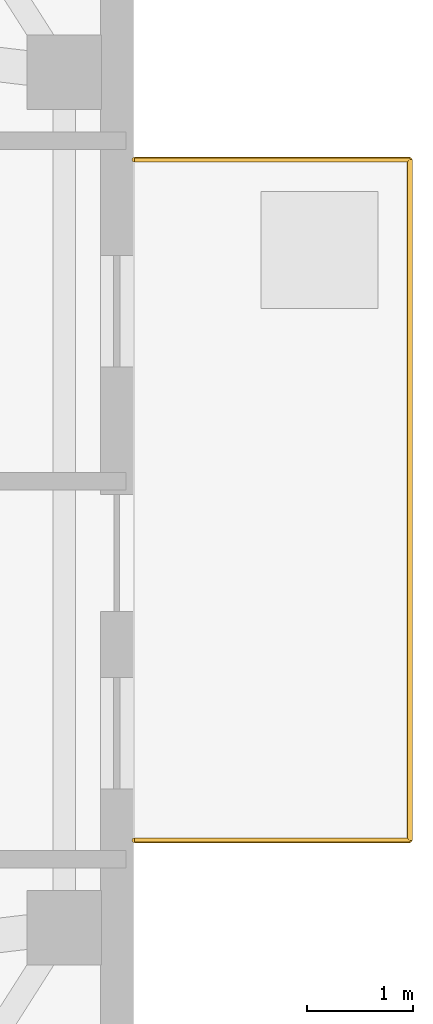
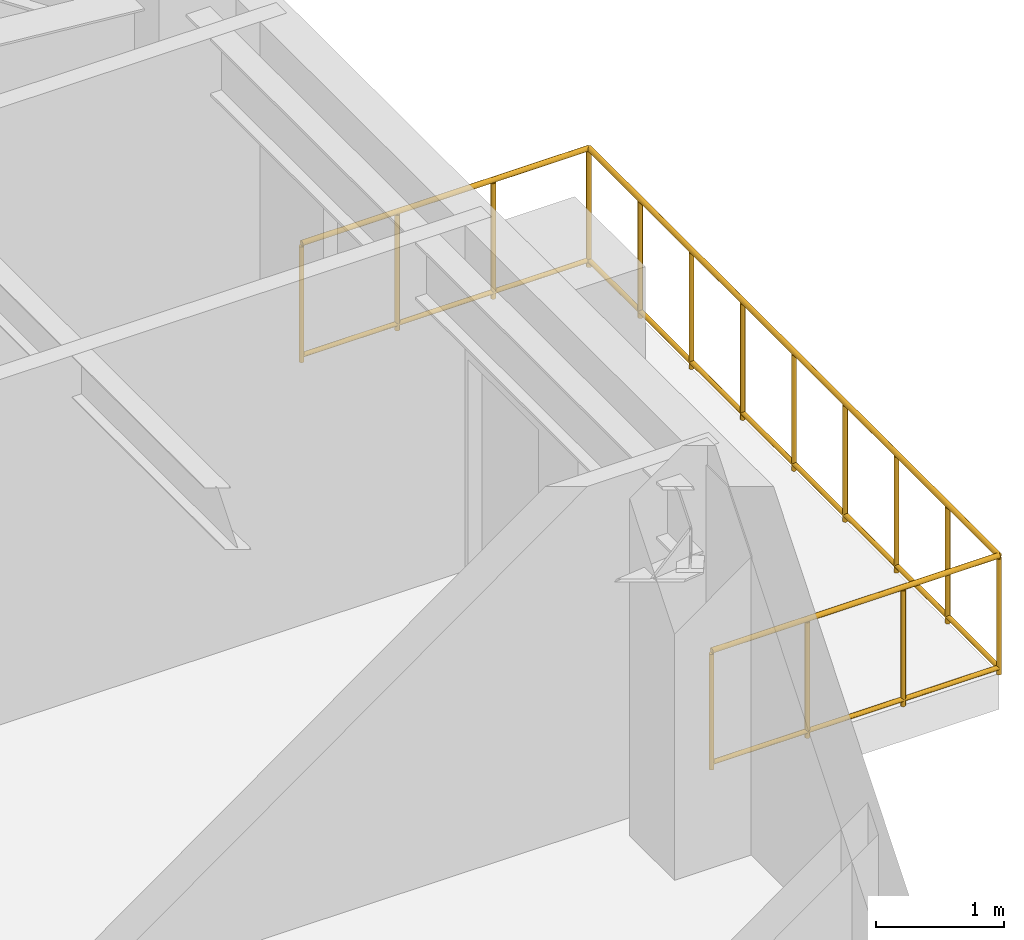
# One storey, part 7 of 7: 1 railing.
"""IFC4 building model written with IfcOpenShell, lengths in metres."""

from ifc_helpers import new_model, si_unit, direction, frame, origin, origin_2d, place, context, subcontext, project, spatial, circle, extrude, material, type_object, element, save


model = new_model("IFC4")

# Units and contexts
model_context = context("Model", 3, precision=1e-05, world=origin(), true_north=direction((0.0, 1.0)))
body_context = subcontext(model_context, "Body", "Model", "MODEL_VIEW")
ifc_project = project(units=[si_unit("LENGTHUNIT", "METRE"), si_unit("AREAUNIT", "SQUARE_METRE"), si_unit("VOLUMEUNIT", "CUBIC_METRE"), si_unit("PLANEANGLEUNIT", "RADIAN"), si_unit("MASSUNIT", "GRAM", prefix="KILO"), si_unit("THERMODYNAMICTEMPERATUREUNIT", "KELVIN"), si_unit("POWERUNIT", "WATT")], contexts=[model_context])

# Site, building, storey
site_placement = place(None, origin())
site = spatial("IfcSite", under=ifc_project, at=site_placement, CompositionType="ELEMENT")
building_placement = place(site_placement, origin())
building = spatial("IfcBuilding", under=site, at=building_placement, Name="Skarre Station Tower", CompositionType="ELEMENT")
storey_placement = place(building_placement, frame((0.0, 0.0, 256.10009765625)))
storey = spatial("IfcBuildingStorey", under=building, at=storey_placement, Name="L70", CompositionType="ELEMENT", Elevation=256.10009765625)

# Railing
ifc_material = material(Name="Stainless Steel Grade 316L & Laminated Safety Glass", Category="steel")
railing_type = type_object("IfcRailingType", Name="Laminated Glass & Stainless Terrace Guardrail 1150", PredefinedType="BALUSTRADE", material=ifc_material)
railing_placement = place(storey_placement, frame((51.222900390625, 20.800048828125, 0.0)))
element("IfcRailing", 1, at=railing_placement, inside=storey, type_object=railing_type, Name="L70 TB-L70-F5 Tree-Balcony Guardrail", PredefinedType="BALUSTRADE", context=body_context, shape_type="SweptSolid", body=[
    extrude(circle(Radius=0.02392578125, at=origin_2d()), frame((0.0, 0.0, 1.1259765625), z_axis=(1.0, 0.0, 0.0), x_axis=(0.0, 1.0, 0.0)), (0.0, 0.0, 1.0), 2.590087890625),
    extrude(circle(Radius=0.02099609375, at=origin_2d()), frame((0.0, 0.0, 0.06005859375), z_axis=(1.0, 0.0, 0.0), x_axis=(0.0, 1.0, 0.0)), (0.0, 0.0, 1.0), 2.590087890625),
    extrude(circle(Radius=0.02392578125, at=origin_2d()), frame((2.590087890625, 0.0, 1.1259765625), z_axis=(0.0, 1.0, 0.0), x_axis=(-1.0, 0.0, 0.0)), (0.0, 0.0, 1.0), 6.39990234375),
    extrude(circle(Radius=0.02099609375, at=origin_2d()), frame((2.590087890625, 0.0, 0.06005859375), z_axis=(0.0, 1.0, 0.0), x_axis=(-1.0, 0.0, 0.0)), (0.0, 0.0, 1.0), 6.39990234375),
    extrude(circle(Radius=0.02392578125, at=origin_2d()), frame((2.590087890625, 6.39990234375, 1.1259765625), z_axis=(-1.0, 0.0, 0.0), x_axis=(0.0, -1.0, 0.0)), (0.0, 0.0, 1.0), 2.590087890625),
    extrude(circle(Radius=0.02099609375, at=origin_2d()), frame((2.590087890625, 6.39990234375, 0.06005859375), z_axis=(-1.0, 0.0, 0.0), x_axis=(0.0, -1.0, 0.0)), (0.0, 0.0, 1.0), 2.590087890625),
    extrude(circle(Radius=0.02099609375, at=origin_2d()), origin(), (0.0, 0.0, 1.0), 1.101806640625),
    extrude(circle(Radius=0.02099609375, at=origin_2d()), frame((0.86328125, 0.0, 0.0)), (0.0, 0.0, 1.0), 1.101806640625),
    extrude(circle(Radius=0.02099609375, at=origin_2d()), frame((1.726806640625, 0.0, 0.0)), (0.0, 0.0, 1.0), 1.101806640625),
    extrude(circle(Radius=0.02099609375, at=origin_2d()), frame((2.590087890625, 0.0, 0.0)), (0.0, 0.0, 1.0), 1.101806640625),
    extrude(circle(Radius=0.02099609375, at=origin_2d()), frame((2.590087890625, 0.800048828125, 0.0)), (0.0, 0.0, 1.0), 1.101806640625),
    extrude(circle(Radius=0.02099609375, at=origin_2d()), frame((2.590087890625, 1.60009765625, 0.0)), (0.0, 0.0, 1.0), 1.101806640625),
    extrude(circle(Radius=0.02099609375, at=origin_2d()), frame((2.590087890625, 2.39990234375, 0.0)), (0.0, 0.0, 1.0), 1.101806640625),
    extrude(circle(Radius=0.02099609375, at=origin_2d()), frame((2.590087890625, 3.199951171875, 0.0)), (0.0, 0.0, 1.0), 1.101806640625),
    extrude(circle(Radius=0.02099609375, at=origin_2d()), frame((2.590087890625, 4.0, 0.0)), (0.0, 0.0, 1.0), 1.101806640625),
    extrude(circle(Radius=0.02099609375, at=origin_2d()), frame((2.590087890625, 4.7998046875, 0.0)), (0.0, 0.0, 1.0), 1.101806640625),
    extrude(circle(Radius=0.02099609375, at=origin_2d()), frame((2.590087890625, 5.599853515625, 0.0)), (0.0, 0.0, 1.0), 1.101806640625),
    extrude(circle(Radius=0.02099609375, at=origin_2d()), frame((2.590087890625, 6.39990234375, 0.0)), (0.0, 0.0, 1.0), 1.101806640625),
    extrude(circle(Radius=0.02099609375, at=origin_2d()), frame((1.726806640625, 6.39990234375, 0.0)), (0.0, 0.0, 1.0), 1.101806640625),
    extrude(circle(Radius=0.02099609375, at=origin_2d()), frame((0.86328125, 6.39990234375, 0.0)), (0.0, 0.0, 1.0), 1.101806640625),
    extrude(circle(Radius=0.02099609375, at=origin_2d()), frame((0.0, 6.39990234375, 0.0)), (0.0, 0.0, 1.0), 1.101806640625),
])

save(model, "model.ifc")
